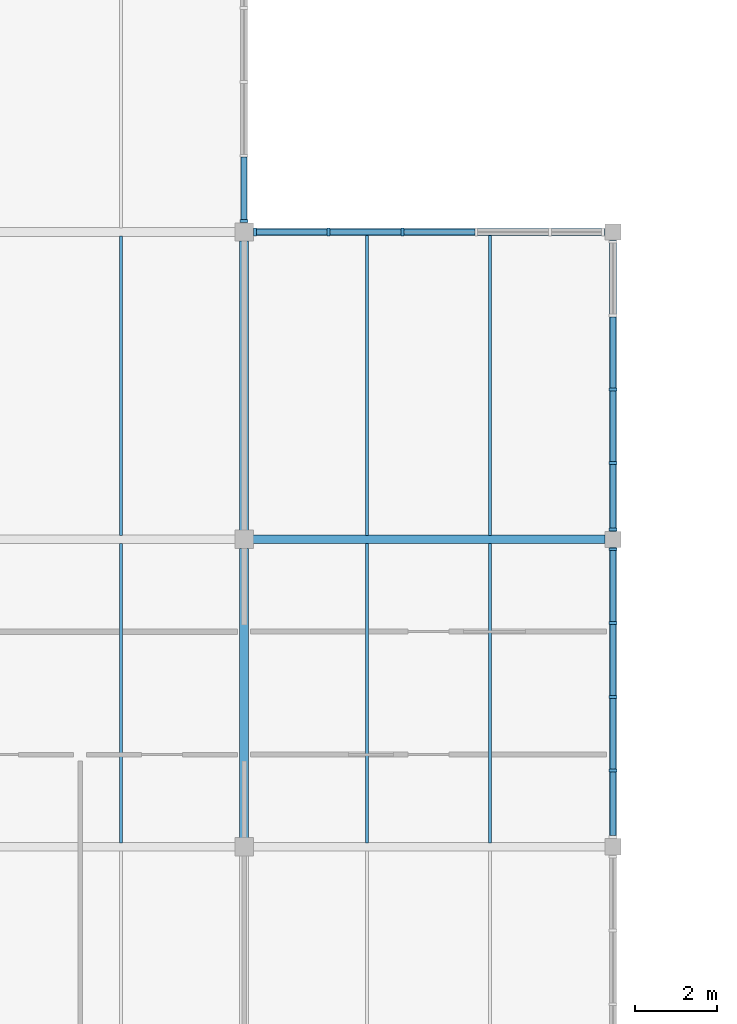
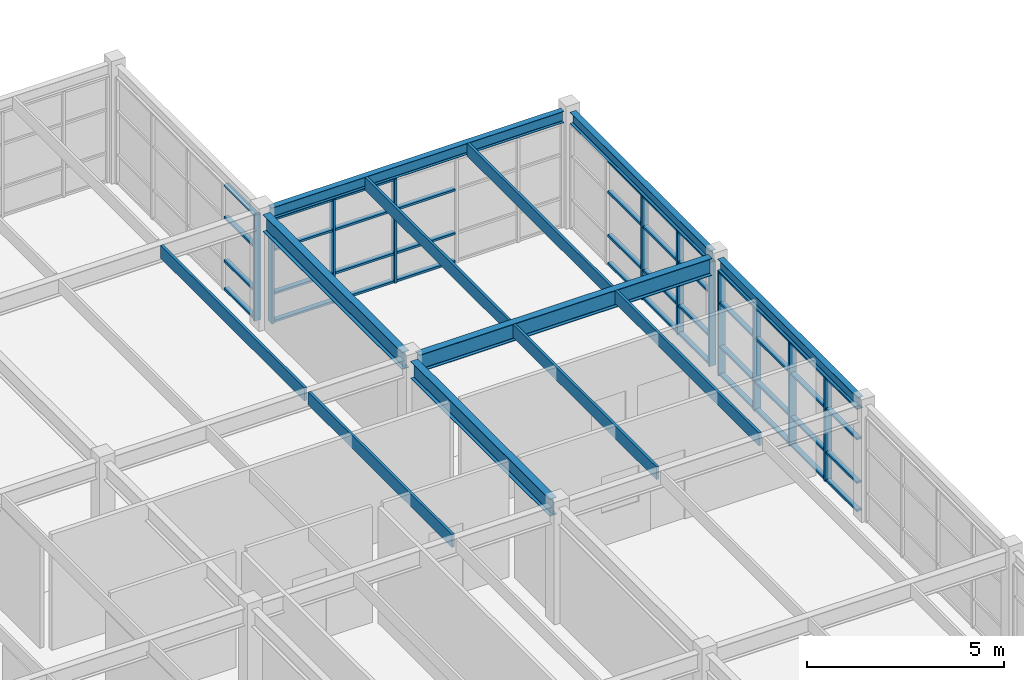
# One storey, part 8 of 81: 54 members, 12 beams, 4 elements without a shape of their own.
"""IFC4 building model written with IfcOpenShell, lengths in metres."""

from ifc_helpers import new_model, si_unit, direction, frame, origin, origin_2d, place, context, subcontext, project, spatial, rectangle, i_section, extrude, material, layer, layer_set, material_profile, profile_set, type_object, element, aggregate, save


model = new_model("IFC4")

# Units and contexts
model_context = context("Model", 3, precision=1e-05, world=origin(), true_north=direction((0.0, 1.0)))
body_context = subcontext(model_context, "Body", "Model", "MODEL_VIEW")
ifc_project = project(units=[si_unit("LENGTHUNIT", "METRE"), si_unit("AREAUNIT", "SQUARE_METRE"), si_unit("VOLUMEUNIT", "CUBIC_METRE"), si_unit("PLANEANGLEUNIT", "RADIAN"), si_unit("MASSUNIT", "GRAM", prefix="KILO")], contexts=[model_context])

# Site, building, storey
site_placement = place(None, origin())
site = spatial("IfcSite", under=ifc_project, at=site_placement, CompositionType="ELEMENT")
building_placement = place(site_placement, origin())
building = spatial("IfcBuilding", under=site, at=building_placement, Name="Marnridge Secondary College", CompositionType="ELEMENT")
storey_placement = place(building_placement, frame((0.0, 0.0, 8.5)))
storey = spatial("IfcBuildingStorey", under=building, at=storey_placement, Name="L02", CompositionType="ELEMENT", Elevation=8.5)

# Beams
ifc_material_1 = material(Name="Engineered timber LVL E13.2", Category="wood")
ifc_material_profile_1 = material_profile(ifc_material_1, rectangle(XDim=0.074951171875, YDim=0.39990234375, at=origin_2d()), Name="LVL 75x400")
ifc_profile_set_1 = profile_set([ifc_material_profile_1], Name="Engineered timber LVL E13.2")
beam_type_1 = type_object("IfcBeamType", Name="BM-LVL400-INT", PredefinedType="JOIST", material=ifc_profile_set_1)
for number, where, z_axis, x_axis, name in (
    (1, (33.0, 15.0986328125, 3.389892578125), (0.0, 1.0, 0.0), (-1.0, 0.0, 0.0), "Beam BJ-L02-1023"),
    (2, (33.0, 22.5986328125, 3.389892578125), (0.0, 1.0, 0.0), (-1.0, 0.0, 0.0), "Beam BJ-L02-1025"),
    (3, (39.0, 15.0986328125, 3.389892578125), (0.0, 1.0, 0.0), (-1.0, 0.0, 0.0), "Beam BJ-L02-1030"),
    (4, (42.0, 15.0986328125, 3.389892578125), (0.0, 1.0, 0.0), (-1.0, 0.0, 0.0), "Beam BJ-L02-1031"),
):
    element("IfcBeam", number, at=place(storey_placement, frame(where, z_axis=z_axis, x_axis=x_axis)), inside=storey, type_object=beam_type_1, Name=name, PredefinedType="JOIST", context=body_context, shape_type="SweptSolid", body=[
        extrude(rectangle(XDim=0.074951171875, YDim=0.39990234375, at=origin_2d()), origin(), (0.0, 0.0, 1.0), 7.302734375),
    ])
for number, where, z_axis, x_axis, name in (
    (5, (39.0, 22.5986328125, 3.389892578125), (0.0, 1.0, 0.0), (-1.0, 0.0, 0.0), "Beam BJ-L02-1032"),
    (6, (42.0, 22.5986328125, 3.389892578125), (0.0, 1.0, 0.0), (-1.0, 0.0, 0.0), "Beam BJ-L02-1033"),
):
    element("IfcBeam", number, at=place(storey_placement, frame(where, z_axis=z_axis, x_axis=x_axis)), inside=storey, type_object=beam_type_1, Name=name, PredefinedType="JOIST", context=body_context, shape_type="SweptSolid", body=[
        extrude(rectangle(XDim=0.074951171875, YDim=0.39990234375, at=origin_2d()), origin(), (0.0, 0.0, 1.0), 7.32177734375),
    ])
ifc_material_2 = material(Name="Structural steel Grade 350 (AS/NZS 3679.1/.2, fy = 340-360 MPa)", Category="steel")
ifc_material_profile_2 = material_profile(ifc_material_2, i_section(OverallWidth=0.1708984375, OverallDepth=0.35205078125, WebThickness=0.0068359375, FlangeThickness=0.009765625, FilletRadius=0.011474609375, at=origin_2d()), Name="360UB44.7")
ifc_profile_set_2 = profile_set([ifc_material_profile_2], Name="Structural steel Grade 350 (AS/NZS 3679.1/.2, fy = 340-360 MPa)")
beam_type_2 = type_object("IfcBeamType", Name="BM-UB360-EXT", PredefinedType="SPANDREL", material=ifc_profile_set_2)
beam_1_placement = place(storey_placement, frame((45.0, 15.194091796875, 3.4140625), z_axis=(0.0, 1.0, 0.0), x_axis=(-1.0, 0.0, 0.0)))
element("IfcBeam", 7, at=beam_1_placement, inside=storey, type_object=beam_type_2, Name="Beam BS-L02-0987", PredefinedType="SPANDREL", context=body_context, shape_type="SweptSolid", body=[
    extrude(i_section(OverallWidth=0.1708984375, OverallDepth=0.35205078125, WebThickness=0.0068359375, FlangeThickness=0.009765625, FilletRadius=0.011474609375, at=origin_2d()), origin(), (0.0, 0.0, 1.0), 7.11181640625),
])
beam_2_placement = place(storey_placement, frame((36.218994140625, 30.0, 3.4140625), z_axis=(1.0, 0.0, 0.0), x_axis=(0.0, 1.0, 0.0)))
element("IfcBeam", 8, at=beam_2_placement, inside=storey, type_object=beam_type_2, Name="Beam BS-L02-0988", PredefinedType="SPANDREL", context=body_context, shape_type="SweptSolid", body=[
    extrude(i_section(OverallWidth=0.1708984375, OverallDepth=0.35205078125, WebThickness=0.0068359375, FlangeThickness=0.009765625, FilletRadius=0.011474609375, at=origin_2d()), origin(), (0.0, 0.0, 1.0), 8.5869140625),
])
beam_3_placement = place(storey_placement, frame((45.0, 22.694091796875, 3.4140625), z_axis=(0.0, 1.0, 0.0), x_axis=(-1.0, 0.0, 0.0)))
element("IfcBeam", 9, at=beam_3_placement, inside=storey, type_object=beam_type_2, Name="Beam BS-L02-0989", PredefinedType="SPANDREL", context=body_context, shape_type="SweptSolid", body=[
    extrude(i_section(OverallWidth=0.1708984375, OverallDepth=0.35205078125, WebThickness=0.0068359375, FlangeThickness=0.009765625, FilletRadius=0.011474609375, at=origin_2d()), origin(), (0.0, 0.0, 1.0), 7.11181640625),
])
ifc_material_3 = material(Name="Structural steel Grade 350 (AS/NZS 3679.1/.2, fy = 340-360 MPa)", Category="steel")
ifc_material_profile_3 = material_profile(ifc_material_3, i_section(OverallWidth=0.209228515625, OverallDepth=0.532958984375, WebThickness=0.01025390625, FlangeThickness=0.015625, FilletRadius=0.013916015625, at=origin_2d()), Name="530UB92.4")
ifc_profile_set_3 = profile_set([ifc_material_profile_3], Name="Structural steel Grade 350 (AS/NZS 3679.1/.2, fy = 340-360 MPa)")
beam_type_3 = type_object("IfcBeamType", Name="BM-UB530A-INT", PredefinedType="BEAM", material=ifc_profile_set_3)
for number, where, z_axis, x_axis, name in (
    (10, (36.0, 15.218994140625, 3.323486328125), (0.0, 1.0, 0.0), (-1.0, 0.0, 0.0), "Beam B-L02-0978"),
    (11, (36.0, 22.718994140625, 3.323486328125), (0.0, 1.0, 0.0), (-1.0, 0.0, 0.0), "Beam B-L02-0980"),
):
    element("IfcBeam", number, at=place(storey_placement, frame(where, z_axis=z_axis, x_axis=x_axis)), inside=storey, type_object=beam_type_3, Name=name, PredefinedType="BEAM", context=body_context, shape_type="SweptSolid", body=[
        extrude(i_section(OverallWidth=0.209228515625, OverallDepth=0.532958984375, WebThickness=0.01025390625, FlangeThickness=0.015625, FilletRadius=0.013916015625, at=origin_2d()), origin(), (0.0, 0.0, 1.0), 7.06201171875),
    ])
beam_4_placement = place(storey_placement, frame((36.218994140625, 22.5, 3.323486328125), z_axis=(1.0, 0.0, 0.0), x_axis=(0.0, 1.0, 0.0)))
element("IfcBeam", 12, at=beam_4_placement, inside=storey, type_object=beam_type_3, Name="Beam B-L02-0986", PredefinedType="BEAM", context=body_context, shape_type="SweptSolid", body=[
    extrude(i_section(OverallWidth=0.209228515625, OverallDepth=0.532958984375, WebThickness=0.01025390625, FlangeThickness=0.015625, FilletRadius=0.013916015625, at=origin_2d()), origin(), (0.0, 0.0, 1.0), 8.5869140625),
])

# Curtain wall, member
ifc_material_4 = material(Name="Bronze-anodised aluminium and solar-control glazing", Category="aluminium")
ifc_layer = layer(ifc_material_4, 0.199951171875)
ifc_layer_set = layer_set([ifc_layer], Name="CW-MOD-1800")
curtain_wall_type = type_object("IfcCurtainWallType", Name="CW-MOD-1800", PredefinedType="NOTDEFINED", material=ifc_layer_set)
curtain_wall_1_placement = place(storey_placement, origin())
curtain_wall_1 = element("IfcCurtainWall", 13, at=curtain_wall_1_placement, inside=storey, type_object=curtain_wall_type, Name="Unitised curtain wall CW-L02-104", PredefinedType="NOTDEFINED")
ifc_material_5 = material(Name="Bronze-anodised aluminium 6063-T6", Category="aluminium")
ifc_material_profile_4 = material_profile(ifc_material_5, rectangle(XDim=0.070068359375, YDim=0.199951171875, at=origin_2d()), Name="ALU 70x200")
ifc_profile_set_4 = profile_set([ifc_material_profile_4], Name="Bronze-anodised aluminium 6063-T6")
member_type_1 = type_object("IfcMemberType", Name="CWM-ALU200", PredefinedType="MULLION", material=ifc_profile_set_4)
member_1_placement = place(storey_placement, frame((36.0, 30.263916015625, 0.0), z_axis=(0.0, 0.0, 1.0), x_axis=(0.0, -1.0, 0.0)))
member_1 = element("IfcMember", 14, at=member_1_placement, type_object=member_type_1, Name="CW-L02-104 mullion 5", PredefinedType="MULLION", context=body_context, shape_type="SweptSolid", body=[
    extrude(rectangle(XDim=0.070068359375, YDim=0.199951171875, at=origin_2d()), origin(), (0.0, 0.0, 1.0), 3.280029296875),
])

# Curtain wall, members
curtain_wall_2_placement = place(storey_placement, origin())
curtain_wall_2 = element("IfcCurtainWall", 15, at=curtain_wall_2_placement, inside=storey, type_object=curtain_wall_type, Name="Unitised curtain wall CW-L02-105", PredefinedType="NOTDEFINED")
member_2_placement = place(storey_placement, frame((36.263916015625, 30.0, 0.0), z_axis=(0.0, 0.0, 1.0), x_axis=(1.0, 0.0, 0.0)))
member_2 = element("IfcMember", 16, at=member_2_placement, type_object=member_type_1, Name="CW-L02-105 mullion 1", PredefinedType="MULLION", context=body_context, shape_type="SweptSolid", body=[
    extrude(rectangle(XDim=0.070068359375, YDim=0.199951171875, at=origin_2d()), origin(), (0.0, 0.0, 1.0), 3.22998046875),
])
member_3_placement = place(storey_placement, frame((38.06396484375, 30.0, 0.0), z_axis=(0.0, 0.0, 1.0), x_axis=(1.0, 0.0, 0.0)))
member_3 = element("IfcMember", 17, at=member_3_placement, type_object=member_type_1, Name="CW-L02-105 mullion 2", PredefinedType="MULLION", context=body_context, shape_type="SweptSolid", body=[
    extrude(rectangle(XDim=0.070068359375, YDim=0.199951171875, at=origin_2d()), origin(), (0.0, 0.0, 1.0), 3.22998046875),
])
member_4_placement = place(storey_placement, frame((39.864013671875, 30.0, 0.0), z_axis=(0.0, 0.0, 1.0), x_axis=(1.0, 0.0, 0.0)))
member_4 = element("IfcMember", 18, at=member_4_placement, type_object=member_type_1, Name="CW-L02-105 mullion 3", PredefinedType="MULLION", context=body_context, shape_type="SweptSolid", body=[
    extrude(rectangle(XDim=0.070068359375, YDim=0.199951171875, at=origin_2d()), origin(), (0.0, 0.0, 1.0), 3.22998046875),
])

curtain_wall_3_placement = place(storey_placement, origin())
curtain_wall_3 = element("IfcCurtainWall", 19, at=curtain_wall_3_placement, inside=storey, type_object=curtain_wall_type, Name="Unitised curtain wall CW-L02-106", PredefinedType="NOTDEFINED")
member_5_placement = place(storey_placement, frame((45.0, 26.160888671875, 0.0), z_axis=(0.0, 0.0, 1.0), x_axis=(0.0, -1.0, 0.0)))
member_5 = element("IfcMember", 20, at=member_5_placement, type_object=member_type_1, Name="CW-L02-106 mullion 3", PredefinedType="MULLION", context=body_context, shape_type="SweptSolid", body=[
    extrude(rectangle(XDim=0.070068359375, YDim=0.199951171875, at=origin_2d()), origin(), (0.0, 0.0, 1.0), 3.22998046875),
])
member_6_placement = place(storey_placement, frame((45.0, 24.361083984375, 0.0), z_axis=(0.0, 0.0, 1.0), x_axis=(0.0, -1.0, 0.0)))
member_6 = element("IfcMember", 21, at=member_6_placement, type_object=member_type_1, Name="CW-L02-106 mullion 4", PredefinedType="MULLION", context=body_context, shape_type="SweptSolid", body=[
    extrude(rectangle(XDim=0.070068359375, YDim=0.199951171875, at=origin_2d()), origin(), (0.0, 0.0, 1.0), 3.22998046875),
])
member_7_placement = place(storey_placement, frame((45.0, 22.739013671875, 0.0), z_axis=(0.0, 0.0, 1.0), x_axis=(0.0, -1.0, 0.0)))
member_7 = element("IfcMember", 22, at=member_7_placement, type_object=member_type_1, Name="CW-L02-106 mullion 5", PredefinedType="MULLION", context=body_context, shape_type="SweptSolid", body=[
    extrude(rectangle(XDim=0.070068359375, YDim=0.199951171875, at=origin_2d()), origin(), (0.0, 0.0, 1.0), 3.22998046875),
])

curtain_wall_4_placement = place(storey_placement, origin())
curtain_wall_4 = element("IfcCurtainWall", 23, at=curtain_wall_4_placement, inside=storey, type_object=curtain_wall_type, Name="Unitised curtain wall CW-L02-107", PredefinedType="NOTDEFINED")
member_8_placement = place(storey_placement, frame((45.0, 22.260986328125, 0.0), z_axis=(0.0, 0.0, 1.0), x_axis=(0.0, -1.0, 0.0)))
member_8 = element("IfcMember", 24, at=member_8_placement, type_object=member_type_1, Name="CW-L02-107 mullion 1", PredefinedType="MULLION", context=body_context, shape_type="SweptSolid", body=[
    extrude(rectangle(XDim=0.070068359375, YDim=0.199951171875, at=origin_2d()), origin(), (0.0, 0.0, 1.0), 3.22998046875),
])
member_9_placement = place(storey_placement, frame((45.0, 20.4609375, 0.0), z_axis=(0.0, 0.0, 1.0), x_axis=(0.0, -1.0, 0.0)))
member_9 = element("IfcMember", 25, at=member_9_placement, type_object=member_type_1, Name="CW-L02-107 mullion 2", PredefinedType="MULLION", context=body_context, shape_type="SweptSolid", body=[
    extrude(rectangle(XDim=0.070068359375, YDim=0.199951171875, at=origin_2d()), origin(), (0.0, 0.0, 1.0), 3.22998046875),
])
member_10_placement = place(storey_placement, frame((45.0, 18.660888671875, 0.0), z_axis=(0.0, 0.0, 1.0), x_axis=(0.0, -1.0, 0.0)))
member_10 = element("IfcMember", 26, at=member_10_placement, type_object=member_type_1, Name="CW-L02-107 mullion 3", PredefinedType="MULLION", context=body_context, shape_type="SweptSolid", body=[
    extrude(rectangle(XDim=0.070068359375, YDim=0.199951171875, at=origin_2d()), origin(), (0.0, 0.0, 1.0), 3.22998046875),
])
member_11_placement = place(storey_placement, frame((45.0, 16.861083984375, 0.0), z_axis=(0.0, 0.0, 1.0), x_axis=(0.0, -1.0, 0.0)))
member_11 = element("IfcMember", 27, at=member_11_placement, type_object=member_type_1, Name="CW-L02-107 mullion 4", PredefinedType="MULLION", context=body_context, shape_type="SweptSolid", body=[
    extrude(rectangle(XDim=0.070068359375, YDim=0.199951171875, at=origin_2d()), origin(), (0.0, 0.0, 1.0), 3.22998046875),
])

# Member
ifc_material_6 = material(Name="Anodised aluminium 6063-T6", Category="aluminium")
ifc_material_profile_5 = material_profile(ifc_material_6, rectangle(XDim=0.06494140625, YDim=0.139892578125, at=origin_2d()), Name="ALU 65x140")
ifc_profile_set_5 = profile_set([ifc_material_profile_5], Name="Anodised aluminium 6063-T6")
member_type_2 = type_object("IfcMemberType", Name="CWT-ALU140", PredefinedType="USERDEFINED", material=ifc_profile_set_5)
member_12_placement = place(storey_placement, frame((36.0, 31.825927734375, 0.032470703125), z_axis=(0.0, -1.0, 0.0), x_axis=(0.0, 0.0, 1.0)))
member_12 = element("IfcMember", 28, at=member_12_placement, type_object=member_type_2, Name="CW-L02-104 transom 4.1", ObjectType="TRANSOM", PredefinedType="USERDEFINED", context=body_context, shape_type="SweptSolid", body=[
    extrude(rectangle(XDim=0.06494140625, YDim=0.139892578125, at=origin_2d()), origin(), (0.0, 0.0, 1.0), 1.52685546875),
])

member_13_placement = place(storey_placement, frame((36.0, 31.825927734375, 0.89990234375), z_axis=(0.0, -1.0, 0.0), x_axis=(0.0, 0.0, 1.0)))
member_13 = element("IfcMember", 29, at=member_13_placement, type_object=member_type_2, Name="CW-L02-104 transom 4.2", ObjectType="TRANSOM", PredefinedType="USERDEFINED", context=body_context, shape_type="SweptSolid", body=[
    extrude(rectangle(XDim=0.06494140625, YDim=0.139892578125, at=origin_2d()), origin(), (0.0, 0.0, 1.0), 1.52685546875),
])

member_14_placement = place(storey_placement, frame((36.0, 31.825927734375, 2.25), z_axis=(0.0, -1.0, 0.0), x_axis=(0.0, 0.0, 1.0)))
member_14 = element("IfcMember", 30, at=member_14_placement, type_object=member_type_2, Name="CW-L02-104 transom 4.3", ObjectType="TRANSOM", PredefinedType="USERDEFINED", context=body_context, shape_type="SweptSolid", body=[
    extrude(rectangle(XDim=0.06494140625, YDim=0.139892578125, at=origin_2d()), origin(), (0.0, 0.0, 1.0), 1.52685546875),
])

member_15_placement = place(storey_placement, frame((36.0, 31.825927734375, 3.24755859375), z_axis=(0.0, -1.0, 0.0), x_axis=(0.0, 0.0, 1.0)))
member_15 = element("IfcMember", 31, at=member_15_placement, type_object=member_type_2, Name="CW-L02-104 transom 4.4", ObjectType="TRANSOM", PredefinedType="USERDEFINED", context=body_context, shape_type="SweptSolid", body=[
    extrude(rectangle(XDim=0.06494140625, YDim=0.139892578125, at=origin_2d()), origin(), (0.0, 0.0, 1.0), 1.52685546875),
])

aggregate(curtain_wall_1, [member_1, member_12, member_13, member_14, member_15])

member_16_placement = place(storey_placement, frame((36.299072265625, 30.0, 0.032470703125), z_axis=(1.0, 0.0, 0.0), x_axis=(0.0, 0.0, 1.0)))
member_16 = element("IfcMember", 32, at=member_16_placement, type_object=member_type_2, Name="CW-L02-105 transom 1.1", ObjectType="TRANSOM", PredefinedType="USERDEFINED", context=body_context, shape_type="SweptSolid", body=[
    extrude(rectangle(XDim=0.06494140625, YDim=0.139892578125, at=origin_2d()), origin(), (0.0, 0.0, 1.0), 1.72998046875),
])

member_17_placement = place(storey_placement, frame((36.299072265625, 30.0, 0.89990234375), z_axis=(1.0, 0.0, 0.0), x_axis=(0.0, 0.0, 1.0)))
member_17 = element("IfcMember", 33, at=member_17_placement, type_object=member_type_2, Name="CW-L02-105 transom 1.2", ObjectType="TRANSOM", PredefinedType="USERDEFINED", context=body_context, shape_type="SweptSolid", body=[
    extrude(rectangle(XDim=0.06494140625, YDim=0.139892578125, at=origin_2d()), origin(), (0.0, 0.0, 1.0), 1.72998046875),
])

member_18_placement = place(storey_placement, frame((36.299072265625, 30.0, 2.25), z_axis=(1.0, 0.0, 0.0), x_axis=(0.0, 0.0, 1.0)))
member_18 = element("IfcMember", 34, at=member_18_placement, type_object=member_type_2, Name="CW-L02-105 transom 1.3", ObjectType="TRANSOM", PredefinedType="USERDEFINED", context=body_context, shape_type="SweptSolid", body=[
    extrude(rectangle(XDim=0.06494140625, YDim=0.139892578125, at=origin_2d()), origin(), (0.0, 0.0, 1.0), 1.72998046875),
])

member_19_placement = place(storey_placement, frame((36.299072265625, 30.0, 3.197509765625), z_axis=(1.0, 0.0, 0.0), x_axis=(0.0, 0.0, 1.0)))
member_19 = element("IfcMember", 35, at=member_19_placement, type_object=member_type_2, Name="CW-L02-105 transom 1.4", ObjectType="TRANSOM", PredefinedType="USERDEFINED", context=body_context, shape_type="SweptSolid", body=[
    extrude(rectangle(XDim=0.06494140625, YDim=0.139892578125, at=origin_2d()), origin(), (0.0, 0.0, 1.0), 1.72998046875),
])

member_20_placement = place(storey_placement, frame((38.09912109375, 30.0, 0.032470703125), z_axis=(1.0, 0.0, 0.0), x_axis=(0.0, 0.0, 1.0)))
member_20 = element("IfcMember", 36, at=member_20_placement, type_object=member_type_2, Name="CW-L02-105 transom 2.1", ObjectType="TRANSOM", PredefinedType="USERDEFINED", context=body_context, shape_type="SweptSolid", body=[
    extrude(rectangle(XDim=0.06494140625, YDim=0.139892578125, at=origin_2d()), origin(), (0.0, 0.0, 1.0), 1.72998046875),
])

member_21_placement = place(storey_placement, frame((38.09912109375, 30.0, 0.89990234375), z_axis=(1.0, 0.0, 0.0), x_axis=(0.0, 0.0, 1.0)))
member_21 = element("IfcMember", 37, at=member_21_placement, type_object=member_type_2, Name="CW-L02-105 transom 2.2", ObjectType="TRANSOM", PredefinedType="USERDEFINED", context=body_context, shape_type="SweptSolid", body=[
    extrude(rectangle(XDim=0.06494140625, YDim=0.139892578125, at=origin_2d()), origin(), (0.0, 0.0, 1.0), 1.72998046875),
])

member_22_placement = place(storey_placement, frame((38.09912109375, 30.0, 2.25), z_axis=(1.0, 0.0, 0.0), x_axis=(0.0, 0.0, 1.0)))
member_22 = element("IfcMember", 38, at=member_22_placement, type_object=member_type_2, Name="CW-L02-105 transom 2.3", ObjectType="TRANSOM", PredefinedType="USERDEFINED", context=body_context, shape_type="SweptSolid", body=[
    extrude(rectangle(XDim=0.06494140625, YDim=0.139892578125, at=origin_2d()), origin(), (0.0, 0.0, 1.0), 1.72998046875),
])

member_23_placement = place(storey_placement, frame((38.09912109375, 30.0, 3.197509765625), z_axis=(1.0, 0.0, 0.0), x_axis=(0.0, 0.0, 1.0)))
member_23 = element("IfcMember", 39, at=member_23_placement, type_object=member_type_2, Name="CW-L02-105 transom 2.4", ObjectType="TRANSOM", PredefinedType="USERDEFINED", context=body_context, shape_type="SweptSolid", body=[
    extrude(rectangle(XDim=0.06494140625, YDim=0.139892578125, at=origin_2d()), origin(), (0.0, 0.0, 1.0), 1.72998046875),
])

member_24_placement = place(storey_placement, frame((39.89892578125, 30.0, 0.032470703125), z_axis=(1.0, 0.0, 0.0), x_axis=(0.0, 0.0, 1.0)))
member_24 = element("IfcMember", 40, at=member_24_placement, type_object=member_type_2, Name="CW-L02-105 transom 3.1", ObjectType="TRANSOM", PredefinedType="USERDEFINED", context=body_context, shape_type="SweptSolid", body=[
    extrude(rectangle(XDim=0.06494140625, YDim=0.139892578125, at=origin_2d()), origin(), (0.0, 0.0, 1.0), 1.72998046875),
])

member_25_placement = place(storey_placement, frame((39.89892578125, 30.0, 0.89990234375), z_axis=(1.0, 0.0, 0.0), x_axis=(0.0, 0.0, 1.0)))
member_25 = element("IfcMember", 41, at=member_25_placement, type_object=member_type_2, Name="CW-L02-105 transom 3.2", ObjectType="TRANSOM", PredefinedType="USERDEFINED", context=body_context, shape_type="SweptSolid", body=[
    extrude(rectangle(XDim=0.06494140625, YDim=0.139892578125, at=origin_2d()), origin(), (0.0, 0.0, 1.0), 1.72998046875),
])

member_26_placement = place(storey_placement, frame((39.89892578125, 30.0, 2.25), z_axis=(1.0, 0.0, 0.0), x_axis=(0.0, 0.0, 1.0)))
member_26 = element("IfcMember", 42, at=member_26_placement, type_object=member_type_2, Name="CW-L02-105 transom 3.3", ObjectType="TRANSOM", PredefinedType="USERDEFINED", context=body_context, shape_type="SweptSolid", body=[
    extrude(rectangle(XDim=0.06494140625, YDim=0.139892578125, at=origin_2d()), origin(), (0.0, 0.0, 1.0), 1.72998046875),
])

aggregate(curtain_wall_2, [member_2, member_3, member_4, member_16, member_17, member_18, member_19, member_20, member_21, member_22, member_23, member_24, member_25, member_26])

member_27_placement = place(storey_placement, frame((45.0, 27.926025390625, 0.032470703125), z_axis=(0.0, -1.0, 0.0), x_axis=(0.0, 0.0, 1.0)))
member_27 = element("IfcMember", 43, at=member_27_placement, type_object=member_type_2, Name="CW-L02-106 transom 2.1", ObjectType="TRANSOM", PredefinedType="USERDEFINED", context=body_context, shape_type="SweptSolid", body=[
    extrude(rectangle(XDim=0.06494140625, YDim=0.139892578125, at=origin_2d()), origin(), (0.0, 0.0, 1.0), 1.72998046875),
])

member_28_placement = place(storey_placement, frame((45.0, 27.926025390625, 0.89990234375), z_axis=(0.0, -1.0, 0.0), x_axis=(0.0, 0.0, 1.0)))
member_28 = element("IfcMember", 44, at=member_28_placement, type_object=member_type_2, Name="CW-L02-106 transom 2.2", ObjectType="TRANSOM", PredefinedType="USERDEFINED", context=body_context, shape_type="SweptSolid", body=[
    extrude(rectangle(XDim=0.06494140625, YDim=0.139892578125, at=origin_2d()), origin(), (0.0, 0.0, 1.0), 1.72998046875),
])

member_29_placement = place(storey_placement, frame((45.0, 27.926025390625, 2.25), z_axis=(0.0, -1.0, 0.0), x_axis=(0.0, 0.0, 1.0)))
member_29 = element("IfcMember", 45, at=member_29_placement, type_object=member_type_2, Name="CW-L02-106 transom 2.3", ObjectType="TRANSOM", PredefinedType="USERDEFINED", context=body_context, shape_type="SweptSolid", body=[
    extrude(rectangle(XDim=0.06494140625, YDim=0.139892578125, at=origin_2d()), origin(), (0.0, 0.0, 1.0), 1.72998046875),
])

member_30_placement = place(storey_placement, frame((45.0, 27.926025390625, 3.197509765625), z_axis=(0.0, -1.0, 0.0), x_axis=(0.0, 0.0, 1.0)))
member_30 = element("IfcMember", 46, at=member_30_placement, type_object=member_type_2, Name="CW-L02-106 transom 2.4", ObjectType="TRANSOM", PredefinedType="USERDEFINED", context=body_context, shape_type="SweptSolid", body=[
    extrude(rectangle(XDim=0.06494140625, YDim=0.139892578125, at=origin_2d()), origin(), (0.0, 0.0, 1.0), 1.72998046875),
])

member_31_placement = place(storey_placement, frame((45.0, 26.1259765625, 0.032470703125), z_axis=(0.0, -1.0, 0.0), x_axis=(0.0, 0.0, 1.0)))
member_31 = element("IfcMember", 47, at=member_31_placement, type_object=member_type_2, Name="CW-L02-106 transom 3.1", ObjectType="TRANSOM", PredefinedType="USERDEFINED", context=body_context, shape_type="SweptSolid", body=[
    extrude(rectangle(XDim=0.06494140625, YDim=0.139892578125, at=origin_2d()), origin(), (0.0, 0.0, 1.0), 1.72998046875),
])

member_32_placement = place(storey_placement, frame((45.0, 26.1259765625, 0.89990234375), z_axis=(0.0, -1.0, 0.0), x_axis=(0.0, 0.0, 1.0)))
member_32 = element("IfcMember", 48, at=member_32_placement, type_object=member_type_2, Name="CW-L02-106 transom 3.2", ObjectType="TRANSOM", PredefinedType="USERDEFINED", context=body_context, shape_type="SweptSolid", body=[
    extrude(rectangle(XDim=0.06494140625, YDim=0.139892578125, at=origin_2d()), origin(), (0.0, 0.0, 1.0), 1.72998046875),
])

member_33_placement = place(storey_placement, frame((45.0, 26.1259765625, 2.25), z_axis=(0.0, -1.0, 0.0), x_axis=(0.0, 0.0, 1.0)))
member_33 = element("IfcMember", 49, at=member_33_placement, type_object=member_type_2, Name="CW-L02-106 transom 3.3", ObjectType="TRANSOM", PredefinedType="USERDEFINED", context=body_context, shape_type="SweptSolid", body=[
    extrude(rectangle(XDim=0.06494140625, YDim=0.139892578125, at=origin_2d()), origin(), (0.0, 0.0, 1.0), 1.72998046875),
])

member_34_placement = place(storey_placement, frame((45.0, 26.1259765625, 3.197509765625), z_axis=(0.0, -1.0, 0.0), x_axis=(0.0, 0.0, 1.0)))
member_34 = element("IfcMember", 50, at=member_34_placement, type_object=member_type_2, Name="CW-L02-106 transom 3.4", ObjectType="TRANSOM", PredefinedType="USERDEFINED", context=body_context, shape_type="SweptSolid", body=[
    extrude(rectangle(XDim=0.06494140625, YDim=0.139892578125, at=origin_2d()), origin(), (0.0, 0.0, 1.0), 1.72998046875),
])

member_35_placement = place(storey_placement, frame((45.0, 24.325927734375, 0.032470703125), z_axis=(0.0, -1.0, 0.0), x_axis=(0.0, 0.0, 1.0)))
member_35 = element("IfcMember", 51, at=member_35_placement, type_object=member_type_2, Name="CW-L02-106 transom 4.1", ObjectType="TRANSOM", PredefinedType="USERDEFINED", context=body_context, shape_type="SweptSolid", body=[
    extrude(rectangle(XDim=0.06494140625, YDim=0.139892578125, at=origin_2d()), origin(), (0.0, 0.0, 1.0), 1.552001953125),
])

member_36_placement = place(storey_placement, frame((45.0, 24.325927734375, 0.89990234375), z_axis=(0.0, -1.0, 0.0), x_axis=(0.0, 0.0, 1.0)))
member_36 = element("IfcMember", 52, at=member_36_placement, type_object=member_type_2, Name="CW-L02-106 transom 4.2", ObjectType="TRANSOM", PredefinedType="USERDEFINED", context=body_context, shape_type="SweptSolid", body=[
    extrude(rectangle(XDim=0.06494140625, YDim=0.139892578125, at=origin_2d()), origin(), (0.0, 0.0, 1.0), 1.552001953125),
])

member_37_placement = place(storey_placement, frame((45.0, 24.325927734375, 2.25), z_axis=(0.0, -1.0, 0.0), x_axis=(0.0, 0.0, 1.0)))
member_37 = element("IfcMember", 53, at=member_37_placement, type_object=member_type_2, Name="CW-L02-106 transom 4.3", ObjectType="TRANSOM", PredefinedType="USERDEFINED", context=body_context, shape_type="SweptSolid", body=[
    extrude(rectangle(XDim=0.06494140625, YDim=0.139892578125, at=origin_2d()), origin(), (0.0, 0.0, 1.0), 1.552001953125),
])

member_38_placement = place(storey_placement, frame((45.0, 24.325927734375, 3.197509765625), z_axis=(0.0, -1.0, 0.0), x_axis=(0.0, 0.0, 1.0)))
member_38 = element("IfcMember", 54, at=member_38_placement, type_object=member_type_2, Name="CW-L02-106 transom 4.4", ObjectType="TRANSOM", PredefinedType="USERDEFINED", context=body_context, shape_type="SweptSolid", body=[
    extrude(rectangle(XDim=0.06494140625, YDim=0.139892578125, at=origin_2d()), origin(), (0.0, 0.0, 1.0), 1.552001953125),
])

aggregate(curtain_wall_3, [member_5, member_6, member_7, member_27, member_28, member_29, member_30, member_31, member_32, member_33, member_34, member_35, member_36, member_37, member_38])

member_39_placement = place(storey_placement, frame((45.0, 22.22607421875, 0.032470703125), z_axis=(0.0, -1.0, 0.0), x_axis=(0.0, 0.0, 1.0)))
member_39 = element("IfcMember", 55, at=member_39_placement, type_object=member_type_2, Name="CW-L02-107 transom 1.1", ObjectType="TRANSOM", PredefinedType="USERDEFINED", context=body_context, shape_type="SweptSolid", body=[
    extrude(rectangle(XDim=0.06494140625, YDim=0.139892578125, at=origin_2d()), origin(), (0.0, 0.0, 1.0), 1.72998046875),
])

member_40_placement = place(storey_placement, frame((45.0, 22.22607421875, 0.89990234375), z_axis=(0.0, -1.0, 0.0), x_axis=(0.0, 0.0, 1.0)))
member_40 = element("IfcMember", 56, at=member_40_placement, type_object=member_type_2, Name="CW-L02-107 transom 1.2", ObjectType="TRANSOM", PredefinedType="USERDEFINED", context=body_context, shape_type="SweptSolid", body=[
    extrude(rectangle(XDim=0.06494140625, YDim=0.139892578125, at=origin_2d()), origin(), (0.0, 0.0, 1.0), 1.72998046875),
])

member_41_placement = place(storey_placement, frame((45.0, 22.22607421875, 2.25), z_axis=(0.0, -1.0, 0.0), x_axis=(0.0, 0.0, 1.0)))
member_41 = element("IfcMember", 57, at=member_41_placement, type_object=member_type_2, Name="CW-L02-107 transom 1.3", ObjectType="TRANSOM", PredefinedType="USERDEFINED", context=body_context, shape_type="SweptSolid", body=[
    extrude(rectangle(XDim=0.06494140625, YDim=0.139892578125, at=origin_2d()), origin(), (0.0, 0.0, 1.0), 1.72998046875),
])

member_42_placement = place(storey_placement, frame((45.0, 22.22607421875, 3.197509765625), z_axis=(0.0, -1.0, 0.0), x_axis=(0.0, 0.0, 1.0)))
member_42 = element("IfcMember", 58, at=member_42_placement, type_object=member_type_2, Name="CW-L02-107 transom 1.4", ObjectType="TRANSOM", PredefinedType="USERDEFINED", context=body_context, shape_type="SweptSolid", body=[
    extrude(rectangle(XDim=0.06494140625, YDim=0.139892578125, at=origin_2d()), origin(), (0.0, 0.0, 1.0), 1.72998046875),
])

member_43_placement = place(storey_placement, frame((45.0, 20.426025390625, 0.032470703125), z_axis=(0.0, -1.0, 0.0), x_axis=(0.0, 0.0, 1.0)))
member_43 = element("IfcMember", 59, at=member_43_placement, type_object=member_type_2, Name="CW-L02-107 transom 2.1", ObjectType="TRANSOM", PredefinedType="USERDEFINED", context=body_context, shape_type="SweptSolid", body=[
    extrude(rectangle(XDim=0.06494140625, YDim=0.139892578125, at=origin_2d()), origin(), (0.0, 0.0, 1.0), 1.72998046875),
])

member_44_placement = place(storey_placement, frame((45.0, 20.426025390625, 0.89990234375), z_axis=(0.0, -1.0, 0.0), x_axis=(0.0, 0.0, 1.0)))
member_44 = element("IfcMember", 60, at=member_44_placement, type_object=member_type_2, Name="CW-L02-107 transom 2.2", ObjectType="TRANSOM", PredefinedType="USERDEFINED", context=body_context, shape_type="SweptSolid", body=[
    extrude(rectangle(XDim=0.06494140625, YDim=0.139892578125, at=origin_2d()), origin(), (0.0, 0.0, 1.0), 1.72998046875),
])

member_45_placement = place(storey_placement, frame((45.0, 20.426025390625, 2.25), z_axis=(0.0, -1.0, 0.0), x_axis=(0.0, 0.0, 1.0)))
member_45 = element("IfcMember", 61, at=member_45_placement, type_object=member_type_2, Name="CW-L02-107 transom 2.3", ObjectType="TRANSOM", PredefinedType="USERDEFINED", context=body_context, shape_type="SweptSolid", body=[
    extrude(rectangle(XDim=0.06494140625, YDim=0.139892578125, at=origin_2d()), origin(), (0.0, 0.0, 1.0), 1.72998046875),
])

member_46_placement = place(storey_placement, frame((45.0, 20.426025390625, 3.197509765625), z_axis=(0.0, -1.0, 0.0), x_axis=(0.0, 0.0, 1.0)))
member_46 = element("IfcMember", 62, at=member_46_placement, type_object=member_type_2, Name="CW-L02-107 transom 2.4", ObjectType="TRANSOM", PredefinedType="USERDEFINED", context=body_context, shape_type="SweptSolid", body=[
    extrude(rectangle(XDim=0.06494140625, YDim=0.139892578125, at=origin_2d()), origin(), (0.0, 0.0, 1.0), 1.72998046875),
])

member_47_placement = place(storey_placement, frame((45.0, 18.6259765625, 0.032470703125), z_axis=(0.0, -1.0, 0.0), x_axis=(0.0, 0.0, 1.0)))
member_47 = element("IfcMember", 63, at=member_47_placement, type_object=member_type_2, Name="CW-L02-107 transom 3.1", ObjectType="TRANSOM", PredefinedType="USERDEFINED", context=body_context, shape_type="SweptSolid", body=[
    extrude(rectangle(XDim=0.06494140625, YDim=0.139892578125, at=origin_2d()), origin(), (0.0, 0.0, 1.0), 1.72998046875),
])

member_48_placement = place(storey_placement, frame((45.0, 18.6259765625, 0.89990234375), z_axis=(0.0, -1.0, 0.0), x_axis=(0.0, 0.0, 1.0)))
member_48 = element("IfcMember", 64, at=member_48_placement, type_object=member_type_2, Name="CW-L02-107 transom 3.2", ObjectType="TRANSOM", PredefinedType="USERDEFINED", context=body_context, shape_type="SweptSolid", body=[
    extrude(rectangle(XDim=0.06494140625, YDim=0.139892578125, at=origin_2d()), origin(), (0.0, 0.0, 1.0), 1.72998046875),
])

member_49_placement = place(storey_placement, frame((45.0, 18.6259765625, 2.25), z_axis=(0.0, -1.0, 0.0), x_axis=(0.0, 0.0, 1.0)))
member_49 = element("IfcMember", 65, at=member_49_placement, type_object=member_type_2, Name="CW-L02-107 transom 3.3", ObjectType="TRANSOM", PredefinedType="USERDEFINED", context=body_context, shape_type="SweptSolid", body=[
    extrude(rectangle(XDim=0.06494140625, YDim=0.139892578125, at=origin_2d()), origin(), (0.0, 0.0, 1.0), 1.72998046875),
])

member_50_placement = place(storey_placement, frame((45.0, 18.6259765625, 3.197509765625), z_axis=(0.0, -1.0, 0.0), x_axis=(0.0, 0.0, 1.0)))
member_50 = element("IfcMember", 66, at=member_50_placement, type_object=member_type_2, Name="CW-L02-107 transom 3.4", ObjectType="TRANSOM", PredefinedType="USERDEFINED", context=body_context, shape_type="SweptSolid", body=[
    extrude(rectangle(XDim=0.06494140625, YDim=0.139892578125, at=origin_2d()), origin(), (0.0, 0.0, 1.0), 1.72998046875),
])

member_51_placement = place(storey_placement, frame((45.0, 16.825927734375, 0.032470703125), z_axis=(0.0, -1.0, 0.0), x_axis=(0.0, 0.0, 1.0)))
member_51 = element("IfcMember", 67, at=member_51_placement, type_object=member_type_2, Name="CW-L02-107 transom 4.1", ObjectType="TRANSOM", PredefinedType="USERDEFINED", context=body_context, shape_type="SweptSolid", body=[
    extrude(rectangle(XDim=0.06494140625, YDim=0.139892578125, at=origin_2d()), origin(), (0.0, 0.0, 1.0), 1.552001953125),
])

member_52_placement = place(storey_placement, frame((45.0, 16.825927734375, 0.89990234375), z_axis=(0.0, -1.0, 0.0), x_axis=(0.0, 0.0, 1.0)))
member_52 = element("IfcMember", 68, at=member_52_placement, type_object=member_type_2, Name="CW-L02-107 transom 4.2", ObjectType="TRANSOM", PredefinedType="USERDEFINED", context=body_context, shape_type="SweptSolid", body=[
    extrude(rectangle(XDim=0.06494140625, YDim=0.139892578125, at=origin_2d()), origin(), (0.0, 0.0, 1.0), 1.552001953125),
])

member_53_placement = place(storey_placement, frame((45.0, 16.825927734375, 2.25), z_axis=(0.0, -1.0, 0.0), x_axis=(0.0, 0.0, 1.0)))
member_53 = element("IfcMember", 69, at=member_53_placement, type_object=member_type_2, Name="CW-L02-107 transom 4.3", ObjectType="TRANSOM", PredefinedType="USERDEFINED", context=body_context, shape_type="SweptSolid", body=[
    extrude(rectangle(XDim=0.06494140625, YDim=0.139892578125, at=origin_2d()), origin(), (0.0, 0.0, 1.0), 1.552001953125),
])

member_54_placement = place(storey_placement, frame((45.0, 16.825927734375, 3.197509765625), z_axis=(0.0, -1.0, 0.0), x_axis=(0.0, 0.0, 1.0)))
member_54 = element("IfcMember", 70, at=member_54_placement, type_object=member_type_2, Name="CW-L02-107 transom 4.4", ObjectType="TRANSOM", PredefinedType="USERDEFINED", context=body_context, shape_type="SweptSolid", body=[
    extrude(rectangle(XDim=0.06494140625, YDim=0.139892578125, at=origin_2d()), origin(), (0.0, 0.0, 1.0), 1.552001953125),
])

aggregate(curtain_wall_4, [member_8, member_9, member_10, member_11, member_39, member_40, member_41, member_42, member_43, member_44, member_45, member_46, member_47, member_48, member_49, member_50, member_51, member_52, member_53, member_54])

save(model, "model.ifc")
